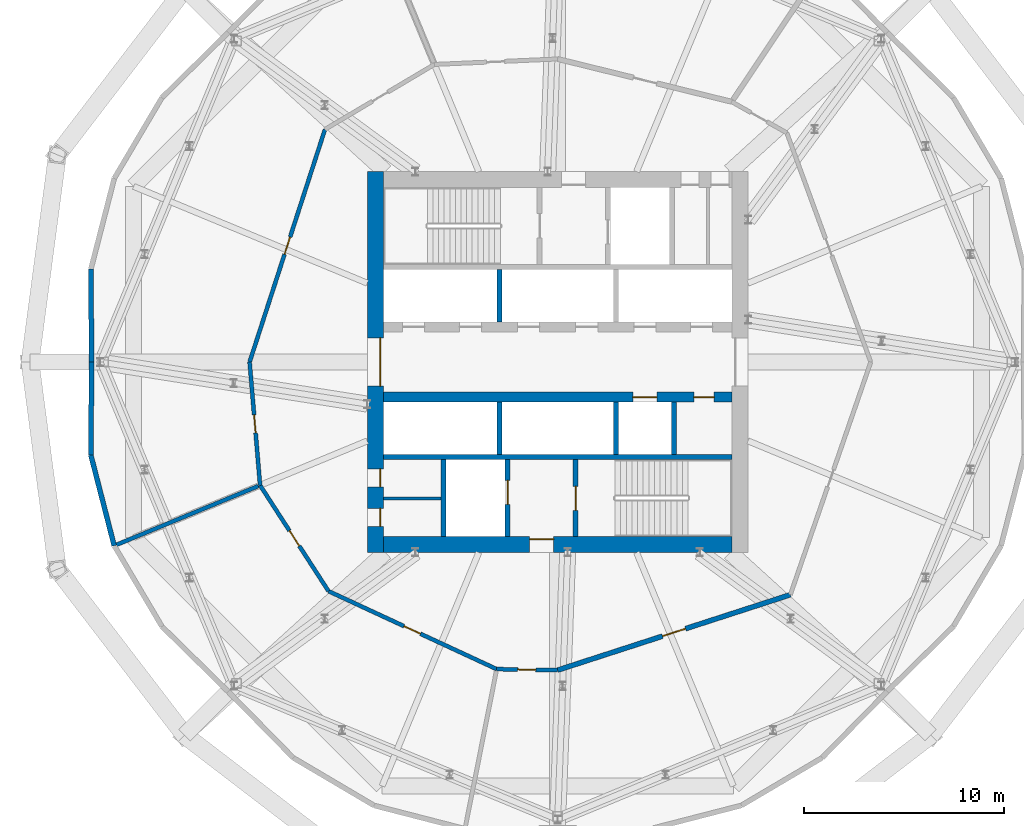
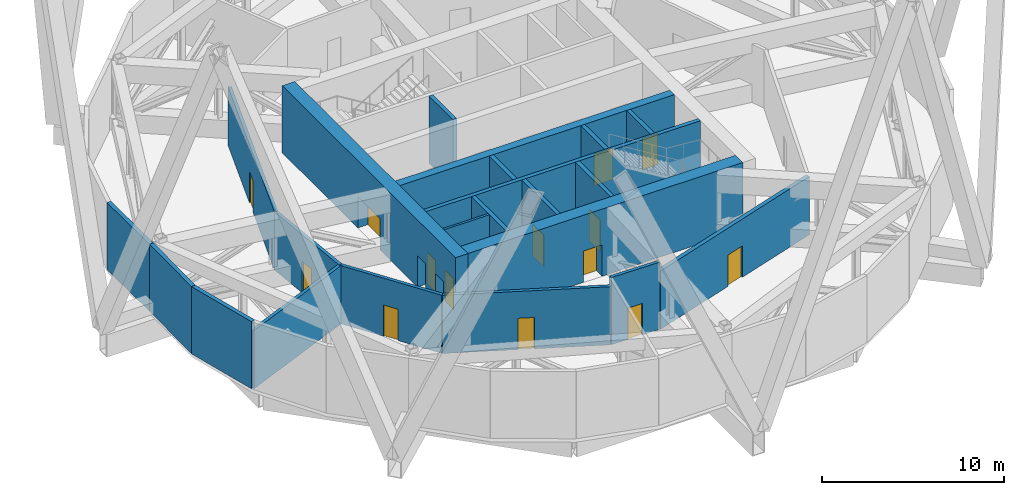
# One storey, part 14 of 21: 22 walls, 14 doors, 14 openings.
"""IFC4 building model written with IfcOpenShell, lengths in metres."""

from ifc_helpers import new_model, si_unit, direction, frame, frame_2d, origin, place, context, subcontext, project, spatial, rectangle, extrude, material, layer, layer_set, type_object, element, fill, save


model = new_model("IFC4")

# Units and contexts
model_context = context("Model", 3, precision=1e-05, world=origin(), true_north=direction((0.0, 1.0)))
body_context = subcontext(model_context, "Body", "Model", "MODEL_VIEW")
ifc_project = project(units=[si_unit("LENGTHUNIT", "METRE"), si_unit("AREAUNIT", "SQUARE_METRE"), si_unit("VOLUMEUNIT", "CUBIC_METRE"), si_unit("PLANEANGLEUNIT", "RADIAN"), si_unit("MASSUNIT", "GRAM", prefix="KILO")], contexts=[model_context])

# Site, building, storey
site_placement = place(None, origin())
site = spatial("IfcSite", under=ifc_project, at=site_placement, CompositionType="ELEMENT")
building_placement = place(site_placement, origin())
building = spatial("IfcBuilding", under=site, at=building_placement, Name="Ogive Gate Towers", CompositionType="ELEMENT")
storey_placement = place(building_placement, frame((0.0, 0.0, 71.39990234375)))
storey = spatial("IfcBuildingStorey", under=building, at=storey_placement, Name="L16", CompositionType="ELEMENT", Elevation=71.39990234375)

# Wall
ifc_material_1 = material(Name="Fire-rated block compartment wall")
ifc_layer_1 = layer(ifc_material_1, 0.199951171875)
ifc_layer_set_1 = layer_set([ifc_layer_1], Name="Compartment wall 200")
wall_type_1 = type_object("IfcWallType", Name="Compartment wall 200", PredefinedType="PARTITIONING", material=ifc_layer_set_1)
wall_1_placement = place(storey_placement, frame((-58.154541015625, -9.1767578125, 0.0), z_axis=(0.0, 0.0, 1.0), x_axis=(0.923882659976, 0.382675881909, 0.0)))
element("IfcWall", 1, at=wall_1_placement, inside=storey, type_object=wall_type_1, Name="Partition T1-L16-003", PredefinedType="PARTITIONING", context=body_context, shape_type="SweptSolid", body=[
    extrude(rectangle(XDim=7.806396484375, YDim=0.199951171875, at=frame_2d((3.9033203125, 0.0))), origin(), (0.0, 0.0, 1.0), 3.900146484375),
])

# Wall, opening, door
wall_2_placement = place(storey_placement, frame((-47.610595703125, 11.610595703125, 0.0), z_axis=(0.0, 0.0, 1.0), x_axis=(-0.308253249245, -0.951304333182, 0.0)))
wall_2 = element("IfcWall", 2, at=wall_2_placement, inside=storey, type_object=wall_type_1, Name="Partition T1-L16-008", PredefinedType="PARTITIONING", context=body_context, shape_type="SweptSolid", body=[
    extrude(rectangle(XDim=12.204833984375, YDim=0.199951171875, at=frame_2d((6.1025390625, 0.0))), origin(), (0.0, 0.0, 1.0), 3.900146484375),
])
opening_1_placement = place(wall_2_placement, frame((5.64990234375, 0.0, 0.0)))
opening_1 = element("IfcOpeningElement", 3, at=opening_1_placement, cuts=wall_2, Name="Opening T1-L16-D04", PredefinedType="OPENING", context=body_context, shape_type="SweptSolid", body=[
    extrude(rectangle(XDim=0.89990234375, YDim=2.10009765625, at=frame_2d((0.449951171875, 1.050048828125))), frame((0.0, 0.10986328125, 0.0), z_axis=(0.0, -1.0, 0.0), x_axis=(1.0, 0.0, 0.0)), (0.0, 0.0, 1.0), 0.219970703125),
])
ifc_material_2 = material(Name="Steel fire door", Category="steel")
door_type_1 = type_object("IfcDoorType", Name="Fire door 900 FD30S", OperationType="NOTDEFINED", PredefinedType="DOOR", material=ifc_material_2)
door_1_placement = place(opening_1_placement, origin())
door_1 = element("IfcDoor", 4, at=door_1_placement, inside=storey, type_object=door_type_1, Name="Door T1-L16-D04", OperationType="SINGLE_SWING_LEFT", OverallHeight=2.10009765625, OverallWidth=0.89990234375, PredefinedType="DOOR", context=body_context, shape_type="SweptSolid", body=[
    extrude(rectangle(XDim=0.89990234375, YDim=2.10009765625, at=frame_2d((0.449951171875, 1.050048828125))), frame((0.0, 0.02490234375, 0.0), z_axis=(0.0, -1.0, 0.0), x_axis=(1.0, 0.0, 0.0)), (0.0, 0.0, 1.0), 0.050048828125),
])
fill(opening_1, door_1)

wall_3_placement = place(storey_placement, frame((-51.372802734375, 0.0, 0.0), z_axis=(0.0, 0.0, 1.0), x_axis=(0.084672014504, -0.996408876897, 0.0)))
wall_3 = element("IfcWall", 5, at=wall_3_placement, inside=storey, type_object=wall_type_1, Name="Partition T1-L16-009", PredefinedType="PARTITIONING", context=body_context, shape_type="SweptSolid", body=[
    extrude(rectangle(XDim=6.17333984375, YDim=0.199951171875, at=frame_2d((3.086669921875, 0.0))), origin(), (0.0, 0.0, 1.0), 3.900146484375),
])
opening_2_placement = place(wall_3_placement, frame((2.64990234375, 0.0, 0.0)))
opening_2 = element("IfcOpeningElement", 6, at=opening_2_placement, cuts=wall_3, Name="Opening T1-L16-D05", PredefinedType="OPENING", context=body_context, shape_type="SweptSolid", body=[
    extrude(rectangle(XDim=0.89990234375, YDim=2.10009765625, at=frame_2d((0.449951171875, 1.050048828125))), frame((0.0, 0.10986328125, 0.0), z_axis=(0.0, -1.0, 0.0), x_axis=(1.0, 0.0, 0.0)), (0.0, 0.0, 1.0), 0.219970703125),
])
door_2_placement = place(opening_2_placement, origin())
door_2 = element("IfcDoor", 7, at=door_2_placement, inside=storey, type_object=door_type_1, Name="Door T1-L16-D05", OperationType="SINGLE_SWING_LEFT", OverallHeight=2.10009765625, OverallWidth=0.89990234375, PredefinedType="DOOR", context=body_context, shape_type="SweptSolid", body=[
    extrude(rectangle(XDim=0.89990234375, YDim=2.10009765625, at=frame_2d((0.449951171875, 1.050048828125))), frame((0.0, 0.02490234375, 0.0), z_axis=(0.0, -1.0, 0.0), x_axis=(1.0, 0.0, 0.0)), (0.0, 0.0, 1.0), 0.050048828125),
])
fill(opening_2, door_2)

wall_4_placement = place(storey_placement, frame((-50.85009765625, -6.151123046875, 0.0), z_axis=(0.0, 0.0, 1.0), x_axis=(0.542985755199, -0.839741906571, 0.0)))
wall_4 = element("IfcWall", 8, at=wall_4_placement, inside=storey, type_object=wall_type_1, Name="Partition T1-L16-010", PredefinedType="PARTITIONING", context=body_context, shape_type="SweptSolid", body=[
    extrude(rectangle(XDim=6.291259765625, YDim=0.199951171875, at=frame_2d((3.1455078125, 0.0))), origin(), (0.0, 0.0, 1.0), 3.900146484375),
])
opening_3_placement = place(wall_4_placement, frame((2.699951171875, 0.0, 0.0)))
opening_3 = element("IfcOpeningElement", 9, at=opening_3_placement, cuts=wall_4, Name="Opening T1-L16-D06", PredefinedType="OPENING", context=body_context, shape_type="SweptSolid", body=[
    extrude(rectangle(XDim=0.89990234375, YDim=2.10009765625, at=frame_2d((0.449951171875, 1.050048828125))), frame((0.0, 0.10986328125, 0.0), z_axis=(0.0, -1.0, 0.0), x_axis=(1.0, 0.0, 0.0)), (0.0, 0.0, 1.0), 0.219970703125),
])
door_3_placement = place(opening_3_placement, origin())
door_3 = element("IfcDoor", 10, at=door_3_placement, inside=storey, type_object=door_type_1, Name="Door T1-L16-D06", OperationType="SINGLE_SWING_LEFT", OverallHeight=2.10009765625, OverallWidth=0.89990234375, PredefinedType="DOOR", context=body_context, shape_type="SweptSolid", body=[
    extrude(rectangle(XDim=0.89990234375, YDim=2.10009765625, at=frame_2d((0.449951171875, 1.050048828125))), frame((0.0, 0.02490234375, 0.0), z_axis=(0.0, -1.0, 0.0), x_axis=(1.0, 0.0, 0.0)), (0.0, 0.0, 1.0), 0.050048828125),
])
fill(opening_3, door_3)

wall_5_placement = place(storey_placement, frame((-47.43408203125, -11.43408203125, 0.0), z_axis=(0.0, 0.0, 1.0), x_axis=(0.907251158143, -0.420589272388, 0.0)))
wall_5 = element("IfcWall", 11, at=wall_5_placement, inside=storey, type_object=wall_type_1, Name="Partition T1-L16-011", PredefinedType="PARTITIONING", context=body_context, shape_type="SweptSolid", body=[
    extrude(rectangle(XDim=9.248779296875, YDim=0.199951171875, at=frame_2d((4.62451171875, 0.0))), origin(), (0.0, 0.0, 1.0), 3.900146484375),
])
opening_4_placement = place(wall_5_placement, frame((4.14990234375, 0.0, 0.0)))
opening_4 = element("IfcOpeningElement", 12, at=opening_4_placement, cuts=wall_5, Name="Opening T1-L16-D07", PredefinedType="OPENING", context=body_context, shape_type="SweptSolid", body=[
    extrude(rectangle(XDim=0.89990234375, YDim=2.10009765625, at=frame_2d((0.449951171875, 1.050048828125))), frame((0.0, 0.10986328125, 0.0), z_axis=(0.0, -1.0, 0.0), x_axis=(1.0, 0.0, 0.0)), (0.0, 0.0, 1.0), 0.219970703125),
])
door_4_placement = place(opening_4_placement, origin())
door_4 = element("IfcDoor", 13, at=door_4_placement, inside=storey, type_object=door_type_1, Name="Door T1-L16-D07", OperationType="SINGLE_SWING_RIGHT", OverallHeight=2.10009765625, OverallWidth=0.89990234375, PredefinedType="DOOR", context=body_context, shape_type="SweptSolid", body=[
    extrude(rectangle(XDim=0.89990234375, YDim=2.10009765625, at=frame_2d((0.449951171875, 1.050048828125))), frame((0.0, 0.02490234375, 0.0), z_axis=(0.0, -1.0, 0.0), x_axis=(1.0, 0.0, 0.0)), (0.0, 0.0, 1.0), 0.050048828125),
])
fill(opening_4, door_4)

wall_6_placement = place(storey_placement, frame((-39.043212890625, -15.323974609375, 0.0), z_axis=(0.0, 0.0, 1.0), x_axis=(0.999871305026, -0.016042860891, 0.0)))
wall_6 = element("IfcWall", 14, at=wall_6_placement, inside=storey, type_object=wall_type_1, Name="Partition T1-L16-012", PredefinedType="PARTITIONING", context=body_context, shape_type="SweptSolid", body=[
    extrude(rectangle(XDim=3.043701171875, YDim=0.199951171875, at=frame_2d((1.52197265625, 0.0))), origin(), (0.0, 0.0, 1.0), 4.5),
])
opening_5_placement = place(wall_6_placement, frame((1.050048828125, 0.0, 0.0)))
opening_5 = element("IfcOpeningElement", 15, at=opening_5_placement, cuts=wall_6, Name="Opening T1-L16-D08", PredefinedType="OPENING", context=body_context, shape_type="SweptSolid", body=[
    extrude(rectangle(XDim=0.89990234375, YDim=2.10009765625, at=frame_2d((0.449951171875, 1.050048828125))), frame((0.0, 0.10986328125, 0.0), z_axis=(0.0, -1.0, 0.0), x_axis=(1.0, 0.0, 0.0)), (0.0, 0.0, 1.0), 0.219970703125),
])
door_5_placement = place(opening_5_placement, origin())
door_5 = element("IfcDoor", 16, at=door_5_placement, inside=storey, type_object=door_type_1, Name="Door T1-L16-D08", OperationType="SINGLE_SWING_LEFT", OverallHeight=2.10009765625, OverallWidth=0.89990234375, PredefinedType="DOOR", context=body_context, shape_type="SweptSolid", body=[
    extrude(rectangle(XDim=0.89990234375, YDim=2.10009765625, at=frame_2d((0.449951171875, 1.050048828125))), frame((0.0, 0.02490234375, 0.0), z_axis=(0.0, -1.0, 0.0), x_axis=(1.0, 0.0, 0.0)), (0.0, 0.0, 1.0), 0.050048828125),
])
fill(opening_5, door_5)

ifc_material_3 = material(Name="Concrete C60/75", Category="concrete")
ifc_layer_2 = layer(ifc_material_3, 0.800048828125)
ifc_layer_set_2 = layer_set([ifc_layer_2], Name="Core wall 800 mm")
wall_type_2 = type_object("IfcWallType", Name="Core wall 800 mm", PredefinedType="SHEAR", material=ifc_layer_set_2)
wall_7_placement = place(storey_placement, frame((-44.699951171875, -9.10009765625, 0.0), z_axis=(0.0, 0.0, 1.0), x_axis=(1.0, 0.0, 0.0)))
wall_7 = element("IfcWall", 17, at=wall_7_placement, inside=storey, type_object=wall_type_2, Name="T1 L16 Core wall 800 mm", PredefinedType="SHEAR", context=body_context, shape_type="SweptSolid", body=[
    extrude(rectangle(XDim=17.39990234375, YDim=0.800048828125, at=frame_2d((8.699951171875, 0.0))), origin(), (0.0, 0.0, 1.0), 4.5),
])
opening_6_placement = place(wall_7_placement, frame((7.300048828125, 0.0, 0.0)))
opening_6 = element("IfcOpeningElement", 18, at=opening_6_placement, cuts=wall_7, Name="Opening KD-T1-L16-16", PredefinedType="OPENING", context=body_context, shape_type="SweptSolid", body=[
    extrude(rectangle(XDim=1.199951171875, YDim=2.10009765625, at=frame_2d((0.60009765625, 1.050048828125))), frame((0.0, 0.41015625, 0.0), z_axis=(0.0, -1.0, 0.0), x_axis=(1.0, 0.0, 0.0)), (0.0, 0.0, 1.0), 0.820068359375),
])
door_type_2 = type_object("IfcDoorType", Name="Core door FD60S 1200 x 2100", OperationType="NOTDEFINED", PredefinedType="DOOR", material=ifc_material_2)
door_6_placement = place(opening_6_placement, origin())
door_6 = element("IfcDoor", 19, at=door_6_placement, inside=storey, type_object=door_type_2, Name="T1 L16 Fire-fighting lobby door", OperationType="SINGLE_SWING_LEFT", OverallHeight=2.10009765625, OverallWidth=1.199951171875, PredefinedType="DOOR", context=body_context, shape_type="SweptSolid", body=[
    extrude(rectangle(XDim=1.199951171875, YDim=2.10009765625, at=frame_2d((0.60009765625, 1.050048828125))), frame((0.0, 0.27490234375, 0.0), z_axis=(0.0, -1.0, 0.0), x_axis=(1.0, 0.0, 0.0)), (0.0, 0.0, 1.0), 0.050048828125),
])
fill(opening_6, door_6)

# Wall, openings, doors
wall_8_placement = place(storey_placement, frame((-45.10009765625, -9.5, 0.0), z_axis=(0.0, 0.0, 1.0), x_axis=(0.0, 1.0, 0.0)))
wall_8 = element("IfcWall", 20, at=wall_8_placement, inside=storey, type_object=wall_type_2, Name="T1 L16 Core wall 800 mm", PredefinedType="SHEAR", context=body_context, shape_type="SweptSolid", body=[
    extrude(rectangle(XDim=19.0, YDim=0.800048828125, at=frame_2d((9.5, 0.0))), origin(), (0.0, 0.0, 1.0), 4.5),
])
opening_7_placement = place(wall_8_placement, frame((8.300048828125, 0.0, 0.0)))
opening_7 = element("IfcOpeningElement", 21, at=opening_7_placement, cuts=wall_8, Name="Opening KD-T1-L16-01", PredefinedType="OPENING", context=body_context, shape_type="SweptSolid", body=[
    extrude(rectangle(XDim=2.39990234375, YDim=2.10009765625, at=frame_2d((1.199951171875, 1.050048828125))), frame((0.0, 0.41015625, 0.0), z_axis=(0.0, -1.0, 0.0), x_axis=(1.0, 0.0, 0.0)), (0.0, 0.0, 1.0), 0.820068359375),
])
opening_8_placement = place(wall_8_placement, frame((1.300048828125, 0.0, 0.0)))
opening_8 = element("IfcOpeningElement", 22, at=opening_8_placement, cuts=wall_8, Name="Opening KD-T1-L16-19", PredefinedType="OPENING", context=body_context, shape_type="SweptSolid", body=[
    extrude(rectangle(XDim=0.89990234375, YDim=2.10009765625, at=frame_2d((0.449951171875, 1.050048828125))), frame((0.0, 0.41015625, 0.0), z_axis=(0.0, -1.0, 0.0), x_axis=(1.0, 0.0, 0.0)), (0.0, 0.0, 1.0), 0.820068359375),
])
opening_9_placement = place(wall_8_placement, frame((3.27490234375, 0.0, 0.0)))
opening_9 = element("IfcOpeningElement", 23, at=opening_9_placement, cuts=wall_8, Name="Opening KD-T1-L16-20", PredefinedType="OPENING", context=body_context, shape_type="SweptSolid", body=[
    extrude(rectangle(XDim=0.89990234375, YDim=2.10009765625, at=frame_2d((0.449951171875, 1.050048828125))), frame((0.0, 0.41015625, 0.0), z_axis=(0.0, -1.0, 0.0), x_axis=(1.0, 0.0, 0.0)), (0.0, 0.0, 1.0), 0.820068359375),
])
door_type_3 = type_object("IfcDoorType", Name="Core door FD60S 900 x 2100", OperationType="NOTDEFINED", PredefinedType="DOOR", material=ifc_material_2)
door_7_placement = place(opening_8_placement, origin())
door_7 = element("IfcDoor", 24, at=door_7_placement, inside=storey, type_object=door_type_3, Name="T1 L16 Core door", OperationType="SINGLE_SWING_RIGHT", OverallHeight=2.10009765625, OverallWidth=0.89990234375, PredefinedType="DOOR", context=body_context, shape_type="SweptSolid", body=[
    extrude(rectangle(XDim=0.89990234375, YDim=2.10009765625, at=frame_2d((0.449951171875, 1.050048828125))), frame((0.0, -0.22509765625, 0.0), z_axis=(0.0, -1.0, 0.0), x_axis=(1.0, 0.0, 0.0)), (0.0, 0.0, 1.0), 0.050048828125),
])
fill(opening_8, door_7)
door_8_placement = place(opening_9_placement, origin())
door_8 = element("IfcDoor", 25, at=door_8_placement, inside=storey, type_object=door_type_3, Name="T1 L16 Core door", OperationType="SINGLE_SWING_LEFT", OverallHeight=2.10009765625, OverallWidth=0.89990234375, PredefinedType="DOOR", context=body_context, shape_type="SweptSolid", body=[
    extrude(rectangle(XDim=0.89990234375, YDim=2.10009765625, at=frame_2d((0.449951171875, 1.050048828125))), frame((0.0, -0.22509765625, 0.0), z_axis=(0.0, -1.0, 0.0), x_axis=(1.0, 0.0, 0.0)), (0.0, 0.0, 1.0), 0.050048828125),
])
fill(opening_9, door_8)
door_type_4 = type_object("IfcDoorType", Name="Core double door FD60S 2400 x 2100", OperationType="DOUBLE_DOOR_SINGLE_SWING", PredefinedType="DOOR", material=ifc_material_2)
door_9_placement = place(opening_7_placement, origin())
door_9 = element("IfcDoor", 26, at=door_9_placement, inside=storey, type_object=door_type_4, Name="T1 L16 Core door double", OperationType="DOUBLE_DOOR_SINGLE_SWING", OverallHeight=2.10009765625, OverallWidth=2.39990234375, PredefinedType="DOOR", context=body_context, shape_type="SweptSolid", body=[
    extrude(rectangle(XDim=2.39990234375, YDim=2.10009765625, at=frame_2d((1.199951171875, 1.050048828125))), frame((0.0, -0.22509765625, 0.0), z_axis=(0.0, -1.0, 0.0), x_axis=(1.0, 0.0, 0.0)), (0.0, 0.0, 1.0), 0.050048828125),
])
fill(opening_7, door_9)

# Walls
ifc_material_4 = material(Name="Pale metal aluminium louvre", Category="aluminium")
ifc_layer_3 = layer(ifc_material_4, 0.25)
ifc_layer_set_3 = layer_set([ifc_layer_3], Name="Plant louvre wall")
wall_type_3 = type_object("IfcWallType", Name="Plant louvre wall", PredefinedType="SOLIDWALL", material=ifc_layer_set_3)
for number, where, z_axis, x_axis, name in (
    (27, (-59.298095703125, 4.63623046875, 0.0), (0.0, 0.0, 1.0), (0.00932029026, -0.999956565151, 0.0), "Plant louvre wall"),
    (28, (-59.2548828125, 0.0, 0.0), (0.0, 0.0, 1.0), (-0.00932029026, -0.999956565151, 0.0), "Plant louvre wall"),
):
    element("IfcWall", number, at=place(storey_placement, frame(where, z_axis=z_axis, x_axis=x_axis)), inside=storey, type_object=wall_type_3, Name=name, PredefinedType="SOLIDWALL", context=body_context, shape_type="SweptSolid", body=[
        extrude(rectangle(XDim=4.636474609375, YDim=0.25, at=frame_2d((2.318359375, 0.0))), origin(), (0.0, 0.0, 1.0), 4.5),
    ])
wall_9_placement = place(storey_placement, frame((-59.298095703125, -4.63623046875, 0.0), z_axis=(0.0, 0.0, 1.0), x_axis=(0.249380850957, -0.968405489026, 0.0)))
element("IfcWall", 29, at=wall_9_placement, inside=storey, type_object=wall_type_3, Name="Plant louvre wall", PredefinedType="SOLIDWALL", context=body_context, shape_type="SweptSolid", body=[
    extrude(rectangle(XDim=4.678466796875, YDim=0.25, at=frame_2d((2.33935546875, 0.0))), origin(), (0.0, 0.0, 1.0), 4.5),
])

# Wall, opening, door
ifc_material_5 = material(Name="Fire-rated concrete block wall", Category="concrete")
ifc_layer_4 = layer(ifc_material_5, 0.25)
ifc_layer_set_4 = layer_set([ifc_layer_4], Name="Refuge compartment wall 250")
wall_type_4 = type_object("IfcWallType", Name="Refuge compartment wall 250", PredefinedType="PARTITIONING", material=ifc_layer_set_4)
wall_10_placement = place(storey_placement, frame((-36.0, -15.372802734375, 0.0), z_axis=(0.0, 0.0, 1.0), x_axis=(0.951304333182, 0.308253249245, 0.0)))
wall_10 = element("IfcWall", 30, at=wall_10_placement, inside=storey, type_object=wall_type_4, Name="Partition T1-L16-013", PredefinedType="PARTITIONING", context=body_context, shape_type="SweptSolid", body=[
    extrude(rectangle(XDim=12.204833984375, YDim=0.25, at=frame_2d((6.1025390625, 0.0))), origin(), (0.0, 0.0, 1.0), 3.900146484375),
])
opening_10_placement = place(wall_10_placement, frame((5.5, 0.0, 0.0)))
opening_10 = element("IfcOpeningElement", 31, at=opening_10_placement, cuts=wall_10, Name="Opening T1-L16-D09", PredefinedType="OPENING", context=body_context, shape_type="SweptSolid", body=[
    extrude(rectangle(XDim=1.199951171875, YDim=2.10009765625, at=frame_2d((0.60009765625, 1.050048828125))), frame((0.0, 0.135009765625, 0.0), z_axis=(0.0, -1.0, 0.0), x_axis=(1.0, 0.0, 0.0)), (0.0, 0.0, 1.0), 0.27001953125),
])
door_type_5 = type_object("IfcDoorType", Name="Fire door 1200 FD60S", OperationType="NOTDEFINED", PredefinedType="DOOR", material=ifc_material_2)
door_10_placement = place(opening_10_placement, origin())
door_10 = element("IfcDoor", 32, at=door_10_placement, inside=storey, type_object=door_type_5, Name="Door T1-L16-D09", OperationType="SINGLE_SWING_LEFT", OverallHeight=2.10009765625, OverallWidth=1.199951171875, PredefinedType="DOOR", context=body_context, shape_type="SweptSolid", body=[
    extrude(rectangle(XDim=1.199951171875, YDim=2.10009765625, at=frame_2d((0.60009765625, 1.050048828125))), frame((0.0, 0.02490234375, 0.0), z_axis=(0.0, -1.0, 0.0), x_axis=(1.0, 0.0, 0.0)), (0.0, 0.0, 1.0), 0.050048828125),
])
fill(opening_10, door_10)

# Walls
ifc_material_6 = material(Name="Gypsum board partition")
ifc_layer_5 = layer(ifc_material_6, 0.14990234375)
ifc_layer_set_5 = layer_set([ifc_layer_5], Name="Room partition 150 mm")
wall_type_5 = type_object("IfcWallType", Name="Room partition 150 mm", PredefinedType="PARTITIONING", material=ifc_layer_set_5)
wall_11_placement = place(storey_placement, frame((-44.699951171875, -6.800048828125, 0.0), z_axis=(0.0, 0.0, 1.0), x_axis=(1.0, 0.0, 0.0)))
element("IfcWall", 33, at=wall_11_placement, inside=storey, type_object=wall_type_5, Name="T1 L16 Room partition 150 mm", PredefinedType="PARTITIONING", context=body_context, shape_type="SweptSolid", body=[
    extrude(rectangle(XDim=2.875, YDim=0.14990234375, at=frame_2d((1.4375, 0.0))), origin(), (0.0, 0.0, 1.0), 4.5),
])
ifc_layer_6 = layer(ifc_material_3, 0.25)
ifc_layer_set_6 = layer_set([ifc_layer_6], Name="Shaft wall 250 mm")
wall_type_6 = type_object("IfcWallType", Name="Shaft wall 250 mm", PredefinedType="SHEAR", material=ifc_layer_set_6)
wall_12_placement = place(storey_placement, frame((-44.699951171875, -4.75, 0.0), z_axis=(0.0, 0.0, 1.0), x_axis=(1.0, 0.0, 0.0)))
element("IfcWall", 34, at=wall_12_placement, inside=storey, type_object=wall_type_6, Name="T1 L16 Shaft wall 250 mm", PredefinedType="SHEAR", context=body_context, shape_type="SweptSolid", body=[
    extrude(rectangle(XDim=17.39990234375, YDim=0.25, at=frame_2d((8.699951171875, 0.0))), origin(), (0.0, 0.0, 1.0), 4.5),
])
wall_13_placement = place(storey_placement, frame((-41.699951171875, -8.699951171875, 0.0), z_axis=(0.0, 0.0, 1.0), x_axis=(0.0, 1.0, 0.0)))
element("IfcWall", 35, at=wall_13_placement, inside=storey, type_object=wall_type_6, Name="T1 L16 Shaft wall 250 mm", PredefinedType="SHEAR", context=body_context, shape_type="SweptSolid", body=[
    extrude(rectangle(XDim=3.824951171875, YDim=0.25, at=frame_2d((1.91259765625, 0.0))), origin(), (0.0, 0.0, 1.0), 4.5),
])
for number, where, z_axis, x_axis, name in (
    (36, (-38.89990234375, -4.625, 0.0), (0.0, 0.0, 1.0), (0.0, 1.0, 0.0), "T1 L16 Shaft wall 250 mm"),
    (37, (-38.89990234375, 2.0, 0.0), (0.0, 0.0, 1.0), (0.0, 1.0, 0.0), "T1 L16 Shaft wall 250 mm"),
):
    element("IfcWall", number, at=place(storey_placement, frame(where, z_axis=z_axis, x_axis=x_axis)), inside=storey, type_object=wall_type_6, Name=name, PredefinedType="SHEAR", context=body_context, shape_type="SweptSolid", body=[
        extrude(rectangle(XDim=2.625, YDim=0.25, at=frame_2d((1.3125, 0.0))), origin(), (0.0, 0.0, 1.0), 4.5),
    ])

# Wall, opening, door
wall_14_placement = place(storey_placement, frame((-38.5, -8.699951171875, 0.0), z_axis=(0.0, 0.0, 1.0), x_axis=(0.0, 1.0, 0.0)))
wall_14 = element("IfcWall", 38, at=wall_14_placement, inside=storey, type_object=wall_type_6, Name="T1 L16 Shaft wall 250 mm", PredefinedType="SHEAR", context=body_context, shape_type="SweptSolid", body=[
    extrude(rectangle(XDim=3.824951171875, YDim=0.25, at=frame_2d((1.91259765625, 0.0))), origin(), (0.0, 0.0, 1.0), 4.5),
])
opening_11_placement = place(wall_14_placement, frame((1.60009765625, 0.0, 0.0)))
opening_11 = element("IfcOpeningElement", 39, at=opening_11_placement, cuts=wall_14, Name="Opening LD-T1-L16-11", PredefinedType="OPENING", context=body_context, shape_type="SweptSolid", body=[
    extrude(rectangle(XDim=1.199951171875, YDim=2.10009765625, at=frame_2d((0.60009765625, 1.050048828125))), frame((0.0, 0.135009765625, 0.0), z_axis=(0.0, -1.0, 0.0), x_axis=(1.0, 0.0, 0.0)), (0.0, 0.0, 1.0), 0.27001953125),
])
ifc_material_7 = material(Name="Stainless steel landing door", Category="steel")
door_type_6 = type_object("IfcDoorType", Name="Landing door 1200 x 2100", OperationType="SLIDING_TO_LEFT", PredefinedType="DOOR", material=ifc_material_7)
door_11_placement = place(opening_11_placement, origin())
door_11 = element("IfcDoor", 40, at=door_11_placement, inside=storey, type_object=door_type_6, Name="T1 L16 Lift landing door FF2", OperationType="SLIDING_TO_LEFT", OverallHeight=2.10009765625, OverallWidth=1.199951171875, PredefinedType="DOOR", context=body_context, shape_type="SweptSolid", body=[
    extrude(rectangle(XDim=1.199951171875, YDim=2.10009765625, at=frame_2d((0.60009765625, 1.050048828125))), frame((0.0, 0.02490234375, 0.0), z_axis=(0.0, -1.0, 0.0), x_axis=(1.0, 0.0, 0.0)), (0.0, 0.0, 1.0), 0.050048828125),
])
fill(opening_11, door_11)

wall_15_placement = place(storey_placement, frame((-35.10009765625, -8.699951171875, 0.0), z_axis=(0.0, 0.0, 1.0), x_axis=(0.0, 1.0, 0.0)))
wall_15 = element("IfcWall", 41, at=wall_15_placement, inside=storey, type_object=wall_type_6, Name="T1 L16 Shaft wall 250 mm", PredefinedType="SHEAR", context=body_context, shape_type="SweptSolid", body=[
    extrude(rectangle(XDim=3.824951171875, YDim=0.25, at=frame_2d((1.91259765625, 0.0))), origin(), (0.0, 0.0, 1.0), 4.5),
])
opening_12_placement = place(wall_15_placement, frame((1.300048828125, 0.0, 0.0)))
opening_12 = element("IfcOpeningElement", 42, at=opening_12_placement, cuts=wall_15, Name="Opening KD-T1-L16-14", PredefinedType="OPENING", context=body_context, shape_type="SweptSolid", body=[
    extrude(rectangle(XDim=1.199951171875, YDim=2.10009765625, at=frame_2d((0.60009765625, 1.050048828125))), frame((0.0, 0.135009765625, 0.0), z_axis=(0.0, -1.0, 0.0), x_axis=(1.0, 0.0, 0.0)), (0.0, 0.0, 1.0), 0.27001953125),
])
door_12_placement = place(opening_12_placement, origin())
door_12 = element("IfcDoor", 43, at=door_12_placement, inside=storey, type_object=door_type_2, Name="T1 L16 Stair door", OperationType="SINGLE_SWING_LEFT", OverallHeight=2.10009765625, OverallWidth=1.199951171875, PredefinedType="DOOR", context=body_context, shape_type="SweptSolid", body=[
    extrude(rectangle(XDim=1.199951171875, YDim=2.10009765625, at=frame_2d((0.60009765625, 1.050048828125))), frame((0.0, 0.02490234375, 0.0), z_axis=(0.0, -1.0, 0.0), x_axis=(1.0, 0.0, 0.0)), (0.0, 0.0, 1.0), 0.050048828125),
])
fill(opening_12, door_12)

# Walls
for number, where, z_axis, x_axis, name in (
    (44, (-33.10009765625, -4.625, 0.0), (0.0, 0.0, 1.0), (0.0, 1.0, 0.0), "T1 L16 Shaft wall 250 mm"),
    (45, (-30.199951171875, -4.625, 0.0), (0.0, 0.0, 1.0), (0.0, 1.0, 0.0), "T1 L16 Shaft wall 250 mm"),
):
    element("IfcWall", number, at=place(storey_placement, frame(where, z_axis=z_axis, x_axis=x_axis)), inside=storey, type_object=wall_type_6, Name=name, PredefinedType="SHEAR", context=body_context, shape_type="SweptSolid", body=[
        extrude(rectangle(XDim=2.625, YDim=0.25, at=frame_2d((1.3125, 0.0))), origin(), (0.0, 0.0, 1.0), 4.5),
    ])

# Wall, openings, doors
ifc_layer_7 = layer(ifc_material_3, 0.5)
ifc_layer_set_7 = layer_set([ifc_layer_7], Name="Spine wall 500 mm")
wall_type_7 = type_object("IfcWallType", Name="Spine wall 500 mm", PredefinedType="SHEAR", material=ifc_layer_set_7)
wall_16_placement = place(storey_placement, frame((-44.699951171875, -1.75, 0.0), z_axis=(0.0, 0.0, 1.0), x_axis=(1.0, 0.0, 0.0)))
wall_16 = element("IfcWall", 46, at=wall_16_placement, inside=storey, type_object=wall_type_7, Name="T1 L16 Spine wall 500 mm", PredefinedType="SHEAR", context=body_context, shape_type="SweptSolid", body=[
    extrude(rectangle(XDim=17.39990234375, YDim=0.5, at=frame_2d((8.699951171875, 0.0))), origin(), (0.0, 0.0, 1.0), 4.5),
])
opening_13_placement = place(wall_16_placement, frame((12.449951171875, 0.0, 0.0)))
opening_13 = element("IfcOpeningElement", 47, at=opening_13_placement, cuts=wall_16, Name="Opening LD-T1-L16-09", PredefinedType="OPENING", context=body_context, shape_type="SweptSolid", body=[
    extrude(rectangle(XDim=1.199951171875, YDim=2.10009765625, at=frame_2d((0.60009765625, 1.050048828125))), frame((0.0, 0.260009765625, 0.0), z_axis=(0.0, -1.0, 0.0), x_axis=(1.0, 0.0, 0.0)), (0.0, 0.0, 1.0), 0.52001953125),
])
opening_14_placement = place(wall_16_placement, frame((15.5, 0.0, 0.0)))
opening_14 = element("IfcOpeningElement", 48, at=opening_14_placement, cuts=wall_16, Name="Opening KD-T1-L16-12", PredefinedType="OPENING", context=body_context, shape_type="SweptSolid", body=[
    extrude(rectangle(XDim=1.0, YDim=2.10009765625, at=frame_2d((0.5, 1.050048828125))), frame((0.0, 0.260009765625, 0.0), z_axis=(0.0, -1.0, 0.0), x_axis=(1.0, 0.0, 0.0)), (0.0, 0.0, 1.0), 0.52001953125),
])
door_type_7 = type_object("IfcDoorType", Name="Core door FD60S 1000 x 2100", OperationType="NOTDEFINED", PredefinedType="DOOR", material=ifc_material_2)
door_13_placement = place(opening_14_placement, origin())
door_13 = element("IfcDoor", 49, at=door_13_placement, inside=storey, type_object=door_type_7, Name="T1 L16 Core door", OperationType="SINGLE_SWING_LEFT", OverallHeight=2.10009765625, OverallWidth=1.0, PredefinedType="DOOR", context=body_context, shape_type="SweptSolid", body=[
    extrude(rectangle(XDim=1.0, YDim=2.10009765625, at=frame_2d((0.5, 1.050048828125))), frame((0.0, 0.02490234375, 0.0), z_axis=(0.0, -1.0, 0.0), x_axis=(1.0, 0.0, 0.0)), (0.0, 0.0, 1.0), 0.050048828125),
])
fill(opening_14, door_13)
door_14_placement = place(opening_13_placement, origin())
door_14 = element("IfcDoor", 50, at=door_14_placement, inside=storey, type_object=door_type_6, Name="T1 L16 Lift landing door SVC", OperationType="SLIDING_TO_LEFT", OverallHeight=2.10009765625, OverallWidth=1.199951171875, PredefinedType="DOOR", context=body_context, shape_type="SweptSolid", body=[
    extrude(rectangle(XDim=1.199951171875, YDim=2.10009765625, at=frame_2d((0.60009765625, 1.050048828125))), frame((0.0, 0.02490234375, 0.0), z_axis=(0.0, -1.0, 0.0), x_axis=(1.0, 0.0, 0.0)), (0.0, 0.0, 1.0), 0.050048828125),
])
fill(opening_13, door_14)

save(model, "model.ifc")
